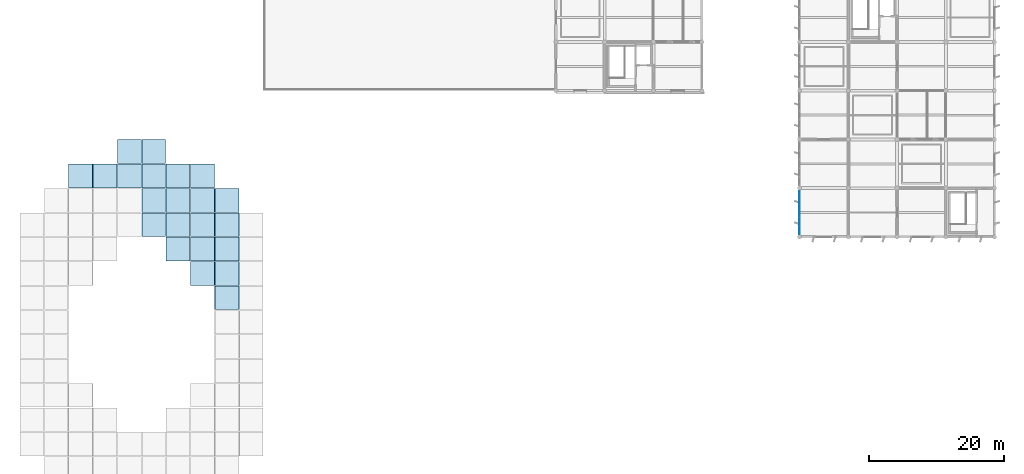
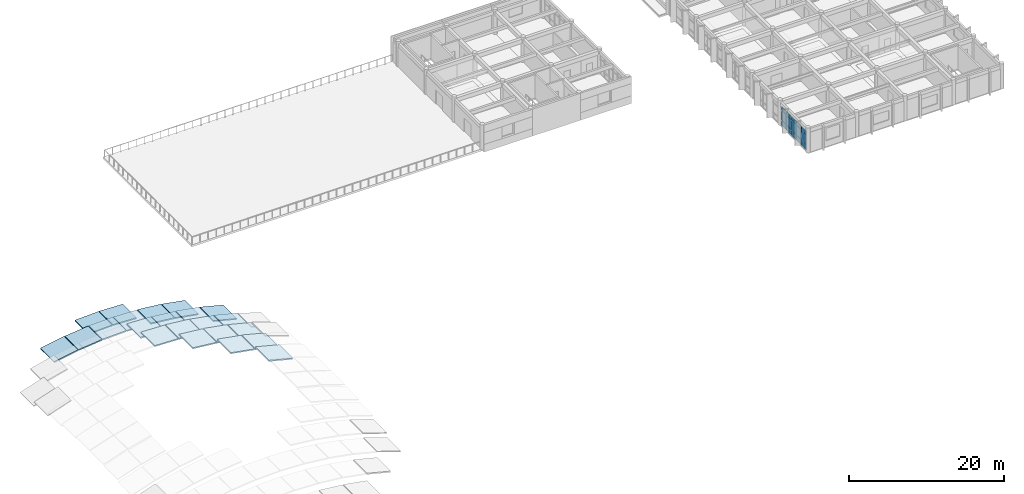
# One storey, part 8 of 16: 22 slabs, 15 plates, 1 element without a shape of its own.
"""IFC4 building model written with IfcOpenShell, lengths in metres."""

from ifc_helpers import new_model, si_unit, direction, frame, origin, origin_2d, place, context, subcontext, project, spatial, polyline, rectangle, outline, extrude, material, layer, layer_set, type_object, element, aggregate, save


model = new_model("IFC4")

# Units and contexts
model_context = context("Model", 3, precision=1e-05, world=origin(), true_north=direction((0.0, 1.0)))
body_context = subcontext(model_context, "Body", "Model", "MODEL_VIEW")
ifc_project = project(units=[si_unit("LENGTHUNIT", "METRE"), si_unit("AREAUNIT", "SQUARE_METRE"), si_unit("VOLUMEUNIT", "CUBIC_METRE"), si_unit("PLANEANGLEUNIT", "RADIAN"), si_unit("MASSUNIT", "GRAM", prefix="KILO")], contexts=[model_context])

# Site, building, storey
site_placement = place(None, origin())
site = spatial("IfcSite", under=ifc_project, at=site_placement, CompositionType="ELEMENT")
building_placement = place(site_placement, origin())
building = spatial("IfcBuilding", under=site, at=building_placement, Name="Kavelor Marine Aquarium", CompositionType="ELEMENT")
storey_placement = place(building_placement, frame((0.0, 0.0, 21.60009765625)))
storey = spatial("IfcBuildingStorey", under=building, at=storey_placement, Name="L05", CompositionType="ELEMENT", Elevation=21.60009765625)

# Curtain wall, plates
ifc_material_1 = material(Name="Thermally Broken Aluminium and Low-E Glass", Category="aluminium")
ifc_layer_1 = layer(ifc_material_1, 0.196044921875)
ifc_layer_set_1 = layer_set([ifc_layer_1], Name="CW-SYS7")
curtain_wall_type = type_object("IfcCurtainWallType", Name="CW-SYS7", PredefinedType="USERDEFINED", material=ifc_layer_set_1)
curtain_wall_placement = place(storey_placement, origin())
curtain_wall = element("IfcCurtainWall", 1, at=curtain_wall_placement, inside=storey, type_object=curtain_wall_type, Name="cw:y:L05:16_09", ObjectType="Curtain Wall", PredefinedType="USERDEFINED")
ifc_material_2 = material(Name="Laminated Cast Acrylic Viewing Glazing", Category="glass")
ifc_layer_2 = layer(ifc_material_2, 0.0859375)
ifc_layer_set_2 = layer_set([ifc_layer_2], Name="CWP-31")
plate_type = type_object("IfcPlateType", Name="CWP-31", PredefinedType="CURTAIN_PANEL", material=ifc_layer_set_2)
plate_1_placement = place(storey_placement, frame((118.39990234375, 73.78515625, 0.074951171875), z_axis=(0.0, 0.0, 1.0), x_axis=(0.0, -1.0, 0.0)))
plate_1 = element("IfcPlate", 2, at=plate_1_placement, type_object=plate_type, Name="CW07 panel 1.1", PredefinedType="CURTAIN_PANEL", context=body_context, shape_type="SweptSolid", body=[
    extrude(rectangle(XDim=1.189453125, YDim=0.0859375, at=origin_2d()), origin(), (0.0, 0.0, 1.0), 0.78759765625),
])
plate_2_placement = place(storey_placement, frame((118.39990234375, 73.78515625, 0.937255859375), z_axis=(0.0, 0.0, 1.0), x_axis=(0.0, -1.0, 0.0)))
plate_2 = element("IfcPlate", 3, at=plate_2_placement, type_object=plate_type, Name="CW07 panel 1.2", PredefinedType="CURTAIN_PANEL", context=body_context, shape_type="SweptSolid", body=[
    extrude(rectangle(XDim=1.189453125, YDim=0.0859375, at=origin_2d()), origin(), (0.0, 0.0, 1.0), 1.4951171875),
])
plate_3_placement = place(storey_placement, frame((118.39990234375, 73.78515625, 2.50732421875), z_axis=(0.0, 0.0, 1.0), x_axis=(0.0, -1.0, 0.0)))
plate_3 = element("IfcPlate", 4, at=plate_3_placement, type_object=plate_type, Name="CW07 panel 1.3", PredefinedType="CURTAIN_PANEL", context=body_context, shape_type="SweptSolid", body=[
    extrude(rectangle(XDim=1.189453125, YDim=0.0859375, at=origin_2d()), origin(), (0.0, 0.0, 1.0), 0.53759765625),
])
plate_4_placement = place(storey_placement, frame((118.39990234375, 72.501953125, 0.074951171875), z_axis=(0.0, 0.0, 1.0), x_axis=(0.0, -1.0, 0.0)))
plate_4 = element("IfcPlate", 5, at=plate_4_placement, type_object=plate_type, Name="CW07 panel 2.1", PredefinedType="CURTAIN_PANEL", context=body_context, shape_type="SweptSolid", body=[
    extrude(rectangle(XDim=1.22705078125, YDim=0.0859375, at=origin_2d()), origin(), (0.0, 0.0, 1.0), 0.78759765625),
])
plate_5_placement = place(storey_placement, frame((118.39990234375, 72.501953125, 0.937255859375), z_axis=(0.0, 0.0, 1.0), x_axis=(0.0, -1.0, 0.0)))
plate_5 = element("IfcPlate", 6, at=plate_5_placement, type_object=plate_type, Name="CW07 panel 2.2", PredefinedType="CURTAIN_PANEL", context=body_context, shape_type="SweptSolid", body=[
    extrude(rectangle(XDim=1.22705078125, YDim=0.0859375, at=origin_2d()), origin(), (0.0, 0.0, 1.0), 1.4951171875),
])
plate_6_placement = place(storey_placement, frame((118.39990234375, 72.501953125, 2.50732421875), z_axis=(0.0, 0.0, 1.0), x_axis=(0.0, -1.0, 0.0)))
plate_6 = element("IfcPlate", 7, at=plate_6_placement, type_object=plate_type, Name="CW07 panel 2.3", PredefinedType="CURTAIN_PANEL", context=body_context, shape_type="SweptSolid", body=[
    extrude(rectangle(XDim=1.22705078125, YDim=0.0859375, at=origin_2d()), origin(), (0.0, 0.0, 1.0), 0.53759765625),
])
plate_7_placement = place(storey_placement, frame((118.39990234375, 71.199951171875, 0.074951171875), z_axis=(0.0, 0.0, 1.0), x_axis=(0.0, -1.0, 0.0)))
plate_7 = element("IfcPlate", 8, at=plate_7_placement, type_object=plate_type, Name="CW07 panel 3.1", PredefinedType="CURTAIN_PANEL", context=body_context, shape_type="SweptSolid", body=[
    extrude(rectangle(XDim=1.22705078125, YDim=0.0859375, at=origin_2d()), origin(), (0.0, 0.0, 1.0), 0.78759765625),
])
plate_8_placement = place(storey_placement, frame((118.39990234375, 71.199951171875, 0.937255859375), z_axis=(0.0, 0.0, 1.0), x_axis=(0.0, -1.0, 0.0)))
plate_8 = element("IfcPlate", 9, at=plate_8_placement, type_object=plate_type, Name="CW07 panel 3.2", PredefinedType="CURTAIN_PANEL", context=body_context, shape_type="SweptSolid", body=[
    extrude(rectangle(XDim=1.22705078125, YDim=0.0859375, at=origin_2d()), origin(), (0.0, 0.0, 1.0), 1.4951171875),
])
plate_9_placement = place(storey_placement, frame((118.39990234375, 71.199951171875, 2.50732421875), z_axis=(0.0, 0.0, 1.0), x_axis=(0.0, -1.0, 0.0)))
plate_9 = element("IfcPlate", 10, at=plate_9_placement, type_object=plate_type, Name="CW07 panel 3.3", PredefinedType="CURTAIN_PANEL", context=body_context, shape_type="SweptSolid", body=[
    extrude(rectangle(XDim=1.22705078125, YDim=0.0859375, at=origin_2d()), origin(), (0.0, 0.0, 1.0), 0.53759765625),
])
plate_10_placement = place(storey_placement, frame((118.39990234375, 69.89794921875, 0.074951171875), z_axis=(0.0, 0.0, 1.0), x_axis=(0.0, -1.0, 0.0)))
plate_10 = element("IfcPlate", 11, at=plate_10_placement, type_object=plate_type, Name="CW07 panel 4.1", PredefinedType="CURTAIN_PANEL", context=body_context, shape_type="SweptSolid", body=[
    extrude(rectangle(XDim=1.22705078125, YDim=0.0859375, at=origin_2d()), origin(), (0.0, 0.0, 1.0), 0.78759765625),
])
plate_11_placement = place(storey_placement, frame((118.39990234375, 69.89794921875, 0.937255859375), z_axis=(0.0, 0.0, 1.0), x_axis=(0.0, -1.0, 0.0)))
plate_11 = element("IfcPlate", 12, at=plate_11_placement, type_object=plate_type, Name="CW07 panel 4.2", PredefinedType="CURTAIN_PANEL", context=body_context, shape_type="SweptSolid", body=[
    extrude(rectangle(XDim=1.22705078125, YDim=0.0859375, at=origin_2d()), origin(), (0.0, 0.0, 1.0), 1.4951171875),
])
plate_12_placement = place(storey_placement, frame((118.39990234375, 69.89794921875, 2.50732421875), z_axis=(0.0, 0.0, 1.0), x_axis=(0.0, -1.0, 0.0)))
plate_12 = element("IfcPlate", 13, at=plate_12_placement, type_object=plate_type, Name="CW07 panel 4.3", PredefinedType="CURTAIN_PANEL", context=body_context, shape_type="SweptSolid", body=[
    extrude(rectangle(XDim=1.22705078125, YDim=0.0859375, at=origin_2d()), origin(), (0.0, 0.0, 1.0), 0.53759765625),
])
plate_13_placement = place(storey_placement, frame((118.39990234375, 68.61474609375, 0.074951171875), z_axis=(0.0, 0.0, 1.0), x_axis=(0.0, -1.0, 0.0)))
plate_13 = element("IfcPlate", 14, at=plate_13_placement, type_object=plate_type, Name="CW07 panel 5.1", PredefinedType="CURTAIN_PANEL", context=body_context, shape_type="SweptSolid", body=[
    extrude(rectangle(XDim=1.189453125, YDim=0.0859375, at=origin_2d()), origin(), (0.0, 0.0, 1.0), 0.78759765625),
])
plate_14_placement = place(storey_placement, frame((118.39990234375, 68.61474609375, 0.937255859375), z_axis=(0.0, 0.0, 1.0), x_axis=(0.0, -1.0, 0.0)))
plate_14 = element("IfcPlate", 15, at=plate_14_placement, type_object=plate_type, Name="CW07 panel 5.2", PredefinedType="CURTAIN_PANEL", context=body_context, shape_type="SweptSolid", body=[
    extrude(rectangle(XDim=1.189453125, YDim=0.0859375, at=origin_2d()), origin(), (0.0, 0.0, 1.0), 1.4951171875),
])
plate_15_placement = place(storey_placement, frame((118.39990234375, 68.61474609375, 2.50732421875), z_axis=(0.0, 0.0, 1.0), x_axis=(0.0, -1.0, 0.0)))
plate_15 = element("IfcPlate", 16, at=plate_15_placement, type_object=plate_type, Name="CW07 panel 5.3", PredefinedType="CURTAIN_PANEL", context=body_context, shape_type="SweptSolid", body=[
    extrude(rectangle(XDim=1.189453125, YDim=0.0859375, at=origin_2d()), origin(), (0.0, 0.0, 1.0), 0.53759765625),
])
aggregate(curtain_wall, [plate_1, plate_2, plate_3, plate_4, plate_5, plate_6, plate_7, plate_8, plate_9, plate_10, plate_11, plate_12, plate_13, plate_14, plate_15])

# Slabs
ifc_material_3 = material(Name="Concrete C45/55", Category="concrete")
ifc_layer_3 = layer(ifc_material_3, 0.199951171875)
ifc_layer_set_3 = layer_set([ifc_layer_3], Name="SL-RF4")
slab_type_1 = type_object("IfcSlabType", Name="SL-RF4", PredefinedType="ROOF", material=ifc_layer_set_3)
slab_1_placement = place(storey_placement, frame((10.43994140625, 74.840087890625, 0.429443359375), z_axis=(-0.177004886862, 0.0, 0.98420997253), x_axis=(0.98420997253, 0.0, 0.177004886862)))
element("IfcSlab", 17, at=slab_1_placement, inside=storey, type_object=slab_type_1, Name="gs:roof:02_14", PredefinedType="ROOF", context=body_context, shape_type="SweptSolid", body=[
    extrude(outline(polyline([(0.0, 0.0), (3.576492445206739, 0.0), (3.576492445206739, 3.52001953125), (0.0, 3.52001953125), (0.0, 0.0)])), origin(), (0.0, 0.0, -1.0), 0.199951171875),
])
for number, where, z_axis, x_axis, name in (
    (18, (17.639892578125, 74.840087890625, 1.438720703125), (-0.035419570184, 0.0, 0.999372530165), (0.999372530165, 0.0, 0.035419570184), "gs:roof:04_14"),
    (19, (21.239990234375, 71.239990234375, 2.654296875), (0.035419570184, 0.0, 0.999372530165), (0.999372530165, 0.0, -0.035419570184), "gs:roof:05_13"),
    (20, (21.239990234375, 78.43994140625, 0.26904296875), (0.035419570184, 0.0, 0.999372530165), (0.999372530165, 0.0, -0.035419570184), "gs:roof:05_15"),
):
    element("IfcSlab", number, at=place(storey_placement, frame(where, z_axis=z_axis, x_axis=x_axis)), inside=storey, type_object=slab_type_1, Name=name, PredefinedType="ROOF", context=body_context, shape_type="SweptSolid", body=[
        extrude(outline(polyline([(0.0, 0.0), (3.5222296240918003, 0.0), (3.5222296240918003, 3.52001953125), (0.0, 3.52001953125), (0.0, 0.0)])), origin(), (0.0, 0.0, -1.0), 0.199951171875),
    ])
for number, where, z_axis, x_axis, name in (
    (21, (24.840087890625, 67.639892578125, 3.426025390625), (0.10627500151, 0.0, 0.994336775974), (0.994336775974, 0.0, -0.10627500151), "gs:roof:06_12"),
    (22, (24.840087890625, 74.840087890625, 1.438720703125), (0.10627500151, 0.0, 0.994336775974), (0.994336775974, 0.0, -0.10627500151), "gs:roof:06_14"),
):
    element("IfcSlab", number, at=place(storey_placement, frame(where, z_axis=z_axis, x_axis=x_axis)), inside=storey, type_object=slab_type_1, Name=name, PredefinedType="ROOF", context=body_context, shape_type="SweptSolid", body=[
        extrude(outline(polyline([(0.0, 0.0), (3.5400677278607735, 0.0), (3.5400677278607735, 3.52001953125), (0.0, 3.52001953125), (0.0, 0.0)])), origin(), (0.0, 0.0, -1.0), 0.199951171875),
    ])
for number, where, z_axis, x_axis, name in (
    (23, (28.43994140625, 64.0400390625, 3.75927734375), (0.177004886862, 0.0, 0.98420997253), (0.98420997253, 0.0, -0.177004886862), "gs:roof:07_11"),
    (24, (28.43994140625, 71.239990234375, 2.1533203125), (0.177004886862, 0.0, 0.98420997253), (0.98420997253, 0.0, -0.177004886862), "gs:roof:07_13"),
):
    element("IfcSlab", number, at=place(storey_placement, frame(where, z_axis=z_axis, x_axis=x_axis)), inside=storey, type_object=slab_type_1, Name=name, PredefinedType="ROOF", context=body_context, shape_type="SweptSolid", body=[
        extrude(outline(polyline([(0.0, 0.0), (3.576492445206739, 0.0), (3.576492445206739, 3.52001953125), (0.0, 3.52001953125), (0.0, 0.0)])), origin(), (0.0, 0.0, -1.0), 0.199951171875),
    ])
slab_2_placement = place(storey_placement, frame((32.0400390625, 60.43994140625, 3.65380859375), z_axis=(0.247623498685, 0.0, 0.968856337596), x_axis=(0.968856337596, 0.0, -0.247623498685)))
element("IfcSlab", 25, at=slab_2_placement, inside=storey, type_object=slab_type_1, Name="gs:roof:08_10", PredefinedType="ROOF", context=body_context, shape_type="SweptSolid", body=[
    extrude(outline(polyline([(0.0, 0.0), (3.6331697431900394, 0.0), (3.6331697431900394, 3.52001953125), (0.0, 3.52001953125), (0.0, 0.0)])), origin(), (0.0, 0.0, -1.0), 0.199951171875),
])
slab_3_placement = place(storey_placement, frame((32.0400390625, 67.639892578125, 2.4169921875), z_axis=(0.247686574416, 0.0, 0.968840214305), x_axis=(0.968840214305, 0.0, -0.247686574416)))
element("IfcSlab", 26, at=slab_3_placement, inside=storey, type_object=slab_type_1, Name="gs:roof:08_12", PredefinedType="ROOF", context=body_context, shape_type="SweptSolid", body=[
    extrude(outline(polyline([(0.0, 0.0), (3.6332302058455115, 0.0), (3.6332302058455115, 3.520019531250001), (0.0, 3.520019531250001), (0.0, 0.0)])), origin(), (0.0, 0.0, -1.0), 0.199951171875),
])
ifc_material_4 = material(Name="Concrete C45/55", Category="concrete")
ifc_layer_4 = layer(ifc_material_4, 0.179931640625)
ifc_layer_set_4 = layer_set([ifc_layer_4], Name="SL-RF5")
slab_type_2 = type_object("IfcSlabType", Name="SL-RF5", PredefinedType="ROOF", material=ifc_layer_set_4)
slab_4_placement = place(storey_placement, frame((14.0400390625, 74.840087890625, 1.04248046875), z_axis=(-0.10627500151, 0.0, 0.994336775974), x_axis=(0.994336775974, 0.0, 0.10627500151)))
element("IfcSlab", 27, at=slab_4_placement, inside=storey, type_object=slab_type_2, Name="gs:roof:03_14", PredefinedType="ROOF", context=body_context, shape_type="SweptSolid", body=[
    extrude(outline(polyline([(0.0, 0.0), (3.5400677278607735, 0.0), (3.5400677278607735, 3.52001953125), (0.0, 3.52001953125), (0.0, 0.0)])), origin(), (0.0, 0.0, -1.0), 0.179931640625),
])
for number, where, z_axis, x_axis, name in (
    (28, (17.639892578125, 78.43994140625, 0.124267578125), (-0.035419570184, 0.0, 0.999372530165), (0.999372530165, 0.0, 0.035419570184), "gs:roof:04_15"),
    (29, (21.239990234375, 67.639892578125, 3.53076171875), (0.035419570184, 0.0, 0.999372530165), (0.999372530165, 0.0, -0.035419570184), "gs:roof:05_12"),
    (30, (21.239990234375, 74.840087890625, 1.54345703125), (0.035419570184, 0.0, 0.999372530165), (0.999372530165, 0.0, -0.035419570184), "gs:roof:05_14"),
):
    element("IfcSlab", number, at=place(storey_placement, frame(where, z_axis=z_axis, x_axis=x_axis)), inside=storey, type_object=slab_type_2, Name=name, PredefinedType="ROOF", context=body_context, shape_type="SweptSolid", body=[
        extrude(outline(polyline([(0.0, 0.0), (3.5222296240918003, 0.0), (3.5222296240918003, 3.52001953125), (0.0, 3.52001953125), (0.0, 0.0)])), origin(), (0.0, 0.0, -1.0), 0.179931640625),
    ])
for number, where, z_axis, x_axis, name in (
    (31, (24.840087890625, 64.0400390625, 4.115478515625), (0.10627500151, 0.0, 0.994336775974), (0.994336775974, 0.0, -0.10627500151), "gs:roof:06_11"),
    (32, (24.840087890625, 71.239990234375, 2.509521484375), (0.10627500151, 0.0, 0.994336775974), (0.994336775974, 0.0, -0.10627500151), "gs:roof:06_13"),
):
    element("IfcSlab", number, at=place(storey_placement, frame(where, z_axis=z_axis, x_axis=x_axis)), inside=storey, type_object=slab_type_2, Name=name, PredefinedType="ROOF", context=body_context, shape_type="SweptSolid", body=[
        extrude(outline(polyline([(0.0, 0.0), (3.5400677278607735, 0.0), (3.5400677278607735, 3.52001953125), (0.0, 3.52001953125), (0.0, 0.0)])), origin(), (0.0, 0.0, -1.0), 0.179931640625),
    ])
for number, where, z_axis, x_axis, name in (
    (33, (28.43994140625, 60.43994140625, 4.266845703125), (0.177004886862, 0.0, 0.98420997253), (0.98420997253, 0.0, -0.177004886862), "gs:roof:07_10"),
    (34, (28.43994140625, 67.639892578125, 3.030029296875), (0.177004886862, 0.0, 0.98420997253), (0.98420997253, 0.0, -0.177004886862), "gs:roof:07_12"),
    (35, (28.43994140625, 74.840087890625, 1.04248046875), (0.177004886862, 0.0, 0.98420997253), (0.98420997253, 0.0, -0.177004886862), "gs:roof:07_14"),
):
    element("IfcSlab", number, at=place(storey_placement, frame(where, z_axis=z_axis, x_axis=x_axis)), inside=storey, type_object=slab_type_2, Name=name, PredefinedType="ROOF", context=body_context, shape_type="SweptSolid", body=[
        extrude(outline(polyline([(0.0, 0.0), (3.576492445206739, 0.0), (3.576492445206739, 3.52001953125), (0.0, 3.52001953125), (0.0, 0.0)])), origin(), (0.0, 0.0, -1.0), 0.179931640625),
    ])
for number, where, z_axis, x_axis, name in (
    (36, (32.0400390625, 56.840087890625, 3.9833984375), (0.247623498685, 0.0, 0.968856337596), (0.968856337596, 0.0, -0.247623498685), "gs:roof:08_09"),
    (37, (32.0400390625, 64.0400390625, 3.106201171875), (0.247623498685, 0.0, 0.968856337596), (0.968856337596, 0.0, -0.247623498685), "gs:roof:08_11"),
    (38, (32.0400390625, 71.239990234375, 1.500244140625), (0.247623498685, 0.0, 0.968856337596), (0.968856337596, 0.0, -0.247623498685), "gs:roof:08_13"),
):
    element("IfcSlab", number, at=place(storey_placement, frame(where, z_axis=z_axis, x_axis=x_axis)), inside=storey, type_object=slab_type_2, Name=name, PredefinedType="ROOF", context=body_context, shape_type="SweptSolid", body=[
        extrude(outline(polyline([(0.0, 0.0), (3.6331697431900394, 0.0), (3.6331697431900394, 3.52001953125), (0.0, 3.52001953125), (0.0, 0.0)])), origin(), (0.0, 0.0, -1.0), 0.179931640625),
    ])

save(model, "model.ifc")
